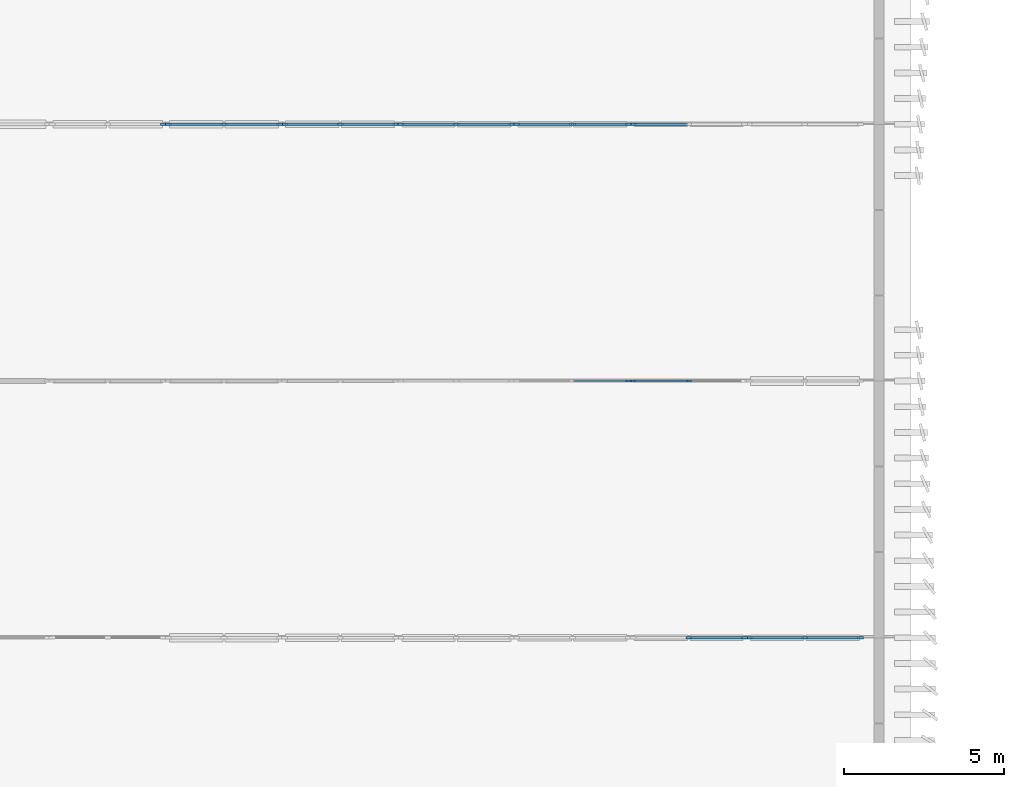
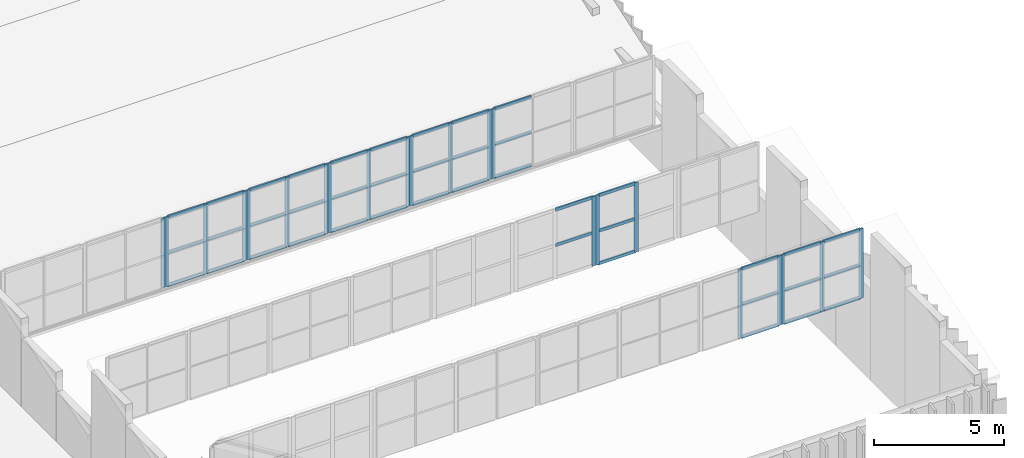
# One storey, part 6 of 45: 63 members, 10 elements without a shape of their own.
"""IFC4 building model written with IfcOpenShell, lengths in metres."""

from ifc_helpers import new_model, si_unit, direction, frame, origin, origin_2d, place, context, subcontext, project, spatial, rectangle, extrude, material, layer, layer_set, material_profile, profile_set, type_object, element, aggregate, save


model = new_model("IFC4")

# Units and contexts
model_context = context("Model", 3, precision=1e-05, world=origin(), true_north=direction((0.0, 1.0)))
body_context = subcontext(model_context, "Body", "Model", "MODEL_VIEW")
ifc_project = project(units=[si_unit("LENGTHUNIT", "METRE"), si_unit("AREAUNIT", "SQUARE_METRE"), si_unit("VOLUMEUNIT", "CUBIC_METRE"), si_unit("PLANEANGLEUNIT", "RADIAN"), si_unit("MASSUNIT", "GRAM", prefix="KILO")], contexts=[model_context])

# Site, building, storey
site_placement = place(None, origin())
site = spatial("IfcSite", under=ifc_project, at=site_placement, CompositionType="ELEMENT")
building_placement = place(site_placement, origin())
building = spatial("IfcBuilding", under=site, at=building_placement, Name="Cinchona Park Media Centre", CompositionType="ELEMENT")
storey_placement = place(building_placement, frame((0.0, 0.0, 20.39990234375)))
storey = spatial("IfcBuildingStorey", under=building, at=storey_placement, Name="L04", CompositionType="ELEMENT", Elevation=20.39990234375)

# Curtain wall, members
ifc_material_1 = material(Name="Aluminium Curtain Wall Framing", Category="aluminium")
ifc_layer = layer(ifc_material_1, 0.31494140625)
ifc_layer_set = layer_set([ifc_layer], Name="Aluminium Curtain Wall Framing")
curtain_wall_type = type_object("IfcCurtainWallType", Name="CW-CW10", PredefinedType="USERDEFINED", material=ifc_layer_set)
curtain_wall_1_placement = place(storey_placement, origin())
curtain_wall_1 = element("IfcCurtainWall", 1, at=curtain_wall_1_placement, inside=storey, type_object=curtain_wall_type, Name="North-Light Sawtooth Clerestory V1 Bay 1.1 CW10 L04", ObjectType="UNITISED CURTAIN WALL", PredefinedType="USERDEFINED")
ifc_material_2 = material(Name="Anodised Aluminium Alloy 6063-T6", Category="aluminium")
ifc_material_profile_1 = material_profile(ifc_material_2, rectangle(XDim=0.070068359375, YDim=0.179931640625, at=origin_2d()), Name="MUL-70X180")
ifc_profile_set_1 = profile_set([ifc_material_profile_1], Name="Anodised Aluminium Alloy 6063-T6")
member_type_1 = type_object("IfcMemberType", Name="MULLION-MUL02", PredefinedType="MULLION", material=ifc_profile_set_1)
member_1_placement = place(storey_placement, frame((44.784912109375, 15.60009765625, 2.580078125), z_axis=(0.0, 0.0, 1.0), x_axis=(0.0, -1.0, 0.0)))
member_1 = element("IfcMember", 2, at=member_1_placement, type_object=member_type_1, Name="CW10 mullion 1", PredefinedType="MULLION", context=body_context, shape_type="SweptSolid", body=[
    extrude(rectangle(XDim=0.070068359375, YDim=0.179931640625, at=origin_2d()), origin(), (0.0, 0.0, 1.0), 3.257080078125),
])
member_2_placement = place(storey_placement, frame((43.050048828125, 15.60009765625, 2.580078125), z_axis=(0.0, 0.0, 1.0), x_axis=(0.0, -1.0, 0.0)))
member_2 = element("IfcMember", 3, at=member_2_placement, type_object=member_type_1, Name="CW10 mullion 2", PredefinedType="MULLION", context=body_context, shape_type="SweptSolid", body=[
    extrude(rectangle(XDim=0.070068359375, YDim=0.179931640625, at=origin_2d()), origin(), (0.0, 0.0, 1.0), 3.257080078125),
])
member_3_placement = place(storey_placement, frame((41.31494140625, 15.60009765625, 2.580078125), z_axis=(0.0, 0.0, 1.0), x_axis=(0.0, -1.0, 0.0)))
member_3 = element("IfcMember", 4, at=member_3_placement, type_object=member_type_1, Name="CW10 mullion 3", PredefinedType="MULLION", context=body_context, shape_type="SweptSolid", body=[
    extrude(rectangle(XDim=0.070068359375, YDim=0.179931640625, at=origin_2d()), origin(), (0.0, 0.0, 1.0), 3.257080078125),
])

curtain_wall_2_placement = place(storey_placement, origin())
curtain_wall_2 = element("IfcCurtainWall", 5, at=curtain_wall_2_placement, inside=storey, type_object=curtain_wall_type, Name="North-Light Sawtooth Clerestory V1 Bay 1.2 CW10 L04", ObjectType="UNITISED CURTAIN WALL", PredefinedType="USERDEFINED")
member_4_placement = place(storey_placement, frame((41.1650390625, 15.60009765625, 2.580078125), z_axis=(0.0, 0.0, 1.0), x_axis=(0.0, -1.0, 0.0)))
member_4 = element("IfcMember", 6, at=member_4_placement, type_object=member_type_1, Name="CW10 mullion 1", PredefinedType="MULLION", context=body_context, shape_type="SweptSolid", body=[
    extrude(rectangle(XDim=0.070068359375, YDim=0.179931640625, at=origin_2d()), origin(), (0.0, 0.0, 1.0), 3.257080078125),
])
member_5_placement = place(storey_placement, frame((39.429931640625, 15.60009765625, 2.580078125), z_axis=(0.0, 0.0, 1.0), x_axis=(0.0, -1.0, 0.0)))
member_5 = element("IfcMember", 7, at=member_5_placement, type_object=member_type_1, Name="CW10 mullion 2", PredefinedType="MULLION", context=body_context, shape_type="SweptSolid", body=[
    extrude(rectangle(XDim=0.070068359375, YDim=0.179931640625, at=origin_2d()), origin(), (0.0, 0.0, 1.0), 3.257080078125),
])

curtain_wall_3_placement = place(storey_placement, origin())
curtain_wall_3 = element("IfcCurtainWall", 8, at=curtain_wall_3_placement, inside=storey, type_object=curtain_wall_type, Name="North-Light Sawtooth Clerestory V1 Bay 2.2 CW10 L04", ObjectType="UNITISED CURTAIN WALL", PredefinedType="USERDEFINED")
member_6_placement = place(storey_placement, frame((39.429931640625, 23.60009765625, 1.780029296875), z_axis=(0.0, 0.0, 1.0), x_axis=(0.0, -1.0, 0.0)))
member_6 = element("IfcMember", 9, at=member_6_placement, type_object=member_type_1, Name="CW10 mullion 2", PredefinedType="MULLION", context=body_context, shape_type="SweptSolid", body=[
    extrude(rectangle(XDim=0.070068359375, YDim=0.179931640625, at=origin_2d()), origin(), (0.0, 0.0, 1.0), 3.257080078125),
])
member_7_placement = place(storey_placement, frame((37.695068359375, 23.60009765625, 1.780029296875), z_axis=(0.0, 0.0, 1.0), x_axis=(0.0, -1.0, 0.0)))
member_7 = element("IfcMember", 10, at=member_7_placement, type_object=member_type_1, Name="CW10 mullion 3", PredefinedType="MULLION", context=body_context, shape_type="SweptSolid", body=[
    extrude(rectangle(XDim=0.070068359375, YDim=0.179931640625, at=origin_2d()), origin(), (0.0, 0.0, 1.0), 3.257080078125),
])

# Curtain wall, member
curtain_wall_4_placement = place(storey_placement, origin())
curtain_wall_4 = element("IfcCurtainWall", 11, at=curtain_wall_4_placement, inside=storey, type_object=curtain_wall_type, Name="North-Light Sawtooth Clerestory V1 Bay 2.3 CW10 L04", ObjectType="UNITISED CURTAIN WALL", PredefinedType="USERDEFINED")
member_8_placement = place(storey_placement, frame((37.544921875, 23.60009765625, 1.780029296875), z_axis=(0.0, 0.0, 1.0), x_axis=(0.0, -1.0, 0.0)))
member_8 = element("IfcMember", 12, at=member_8_placement, type_object=member_type_1, Name="CW10 mullion 1", PredefinedType="MULLION", context=body_context, shape_type="SweptSolid", body=[
    extrude(rectangle(XDim=0.070068359375, YDim=0.179931640625, at=origin_2d()), origin(), (0.0, 0.0, 1.0), 3.257080078125),
])

curtain_wall_5_placement = place(storey_placement, origin())
curtain_wall_5 = element("IfcCurtainWall", 13, at=curtain_wall_5_placement, inside=storey, type_object=curtain_wall_type, Name="North-Light Sawtooth Clerestory V1 Bay 3.2 CW10 L04", ObjectType="UNITISED CURTAIN WALL", PredefinedType="USERDEFINED")
member_9_placement = place(storey_placement, frame((37.695068359375, 31.60009765625, 0.97998046875), z_axis=(0.0, 0.0, 1.0), x_axis=(0.0, -1.0, 0.0)))
member_9 = element("IfcMember", 14, at=member_9_placement, type_object=member_type_1, Name="CW10 mullion 3", PredefinedType="MULLION", context=body_context, shape_type="SweptSolid", body=[
    extrude(rectangle(XDim=0.070068359375, YDim=0.179931640625, at=origin_2d()), origin(), (0.0, 0.0, 1.0), 3.257080078125),
])

# Curtain wall, members
curtain_wall_6_placement = place(storey_placement, origin())
curtain_wall_6 = element("IfcCurtainWall", 15, at=curtain_wall_6_placement, inside=storey, type_object=curtain_wall_type, Name="North-Light Sawtooth Clerestory V1 Bay 3.3 CW10 L04", ObjectType="UNITISED CURTAIN WALL", PredefinedType="USERDEFINED")
member_10_placement = place(storey_placement, frame((37.544921875, 31.60009765625, 0.97998046875), z_axis=(0.0, 0.0, 1.0), x_axis=(0.0, -1.0, 0.0)))
member_10 = element("IfcMember", 16, at=member_10_placement, type_object=member_type_1, Name="CW10 mullion 1", PredefinedType="MULLION", context=body_context, shape_type="SweptSolid", body=[
    extrude(rectangle(XDim=0.070068359375, YDim=0.179931640625, at=origin_2d()), origin(), (0.0, 0.0, 1.0), 3.257080078125),
])
member_11_placement = place(storey_placement, frame((35.81005859375, 31.60009765625, 0.97998046875), z_axis=(0.0, 0.0, 1.0), x_axis=(0.0, -1.0, 0.0)))
member_11 = element("IfcMember", 17, at=member_11_placement, type_object=member_type_1, Name="CW10 mullion 2", PredefinedType="MULLION", context=body_context, shape_type="SweptSolid", body=[
    extrude(rectangle(XDim=0.070068359375, YDim=0.179931640625, at=origin_2d()), origin(), (0.0, 0.0, 1.0), 3.257080078125),
])
member_12_placement = place(storey_placement, frame((34.074951171875, 31.60009765625, 0.97998046875), z_axis=(0.0, 0.0, 1.0), x_axis=(0.0, -1.0, 0.0)))
member_12 = element("IfcMember", 18, at=member_12_placement, type_object=member_type_1, Name="CW10 mullion 3", PredefinedType="MULLION", context=body_context, shape_type="SweptSolid", body=[
    extrude(rectangle(XDim=0.070068359375, YDim=0.179931640625, at=origin_2d()), origin(), (0.0, 0.0, 1.0), 3.257080078125),
])

curtain_wall_7_placement = place(storey_placement, origin())
curtain_wall_7 = element("IfcCurtainWall", 19, at=curtain_wall_7_placement, inside=storey, type_object=curtain_wall_type, Name="North-Light Sawtooth Clerestory V1 Bay 3.4 CW10 L04", ObjectType="UNITISED CURTAIN WALL", PredefinedType="USERDEFINED")
member_13_placement = place(storey_placement, frame((33.925048828125, 31.60009765625, 0.97998046875), z_axis=(0.0, 0.0, 1.0), x_axis=(0.0, -1.0, 0.0)))
member_13 = element("IfcMember", 20, at=member_13_placement, type_object=member_type_1, Name="CW10 mullion 1", PredefinedType="MULLION", context=body_context, shape_type="SweptSolid", body=[
    extrude(rectangle(XDim=0.070068359375, YDim=0.179931640625, at=origin_2d()), origin(), (0.0, 0.0, 1.0), 3.257080078125),
])
member_14_placement = place(storey_placement, frame((32.18994140625, 31.60009765625, 0.97998046875), z_axis=(0.0, 0.0, 1.0), x_axis=(0.0, -1.0, 0.0)))
member_14 = element("IfcMember", 21, at=member_14_placement, type_object=member_type_1, Name="CW10 mullion 2", PredefinedType="MULLION", context=body_context, shape_type="SweptSolid", body=[
    extrude(rectangle(XDim=0.070068359375, YDim=0.179931640625, at=origin_2d()), origin(), (0.0, 0.0, 1.0), 3.257080078125),
])
member_15_placement = place(storey_placement, frame((30.455078125, 31.60009765625, 0.97998046875), z_axis=(0.0, 0.0, 1.0), x_axis=(0.0, -1.0, 0.0)))
member_15 = element("IfcMember", 22, at=member_15_placement, type_object=member_type_1, Name="CW10 mullion 3", PredefinedType="MULLION", context=body_context, shape_type="SweptSolid", body=[
    extrude(rectangle(XDim=0.070068359375, YDim=0.179931640625, at=origin_2d()), origin(), (0.0, 0.0, 1.0), 3.257080078125),
])

curtain_wall_8_placement = place(storey_placement, origin())
curtain_wall_8 = element("IfcCurtainWall", 23, at=curtain_wall_8_placement, inside=storey, type_object=curtain_wall_type, Name="North-Light Sawtooth Clerestory V1 Bay 3.5 CW10 L04", ObjectType="UNITISED CURTAIN WALL", PredefinedType="USERDEFINED")
member_16_placement = place(storey_placement, frame((30.304931640625, 31.60009765625, 0.97998046875), z_axis=(0.0, 0.0, 1.0), x_axis=(0.0, -1.0, 0.0)))
member_16 = element("IfcMember", 24, at=member_16_placement, type_object=member_type_1, Name="CW10 mullion 1", PredefinedType="MULLION", context=body_context, shape_type="SweptSolid", body=[
    extrude(rectangle(XDim=0.070068359375, YDim=0.179931640625, at=origin_2d()), origin(), (0.0, 0.0, 1.0), 3.257080078125),
])
member_17_placement = place(storey_placement, frame((28.570068359375, 31.60009765625, 0.97998046875), z_axis=(0.0, 0.0, 1.0), x_axis=(0.0, -1.0, 0.0)))
member_17 = element("IfcMember", 25, at=member_17_placement, type_object=member_type_1, Name="CW10 mullion 2", PredefinedType="MULLION", context=body_context, shape_type="SweptSolid", body=[
    extrude(rectangle(XDim=0.070068359375, YDim=0.179931640625, at=origin_2d()), origin(), (0.0, 0.0, 1.0), 3.257080078125),
])
member_18_placement = place(storey_placement, frame((26.8349609375, 31.60009765625, 0.97998046875), z_axis=(0.0, 0.0, 1.0), x_axis=(0.0, -1.0, 0.0)))
member_18 = element("IfcMember", 26, at=member_18_placement, type_object=member_type_1, Name="CW10 mullion 3", PredefinedType="MULLION", context=body_context, shape_type="SweptSolid", body=[
    extrude(rectangle(XDim=0.070068359375, YDim=0.179931640625, at=origin_2d()), origin(), (0.0, 0.0, 1.0), 3.257080078125),
])

curtain_wall_9_placement = place(storey_placement, origin())
curtain_wall_9 = element("IfcCurtainWall", 27, at=curtain_wall_9_placement, inside=storey, type_object=curtain_wall_type, Name="North-Light Sawtooth Clerestory V1 Bay 3.6 CW10 L04", ObjectType="UNITISED CURTAIN WALL", PredefinedType="USERDEFINED")
member_19_placement = place(storey_placement, frame((26.68505859375, 31.60009765625, 0.97998046875), z_axis=(0.0, 0.0, 1.0), x_axis=(0.0, -1.0, 0.0)))
member_19 = element("IfcMember", 28, at=member_19_placement, type_object=member_type_1, Name="CW10 mullion 1", PredefinedType="MULLION", context=body_context, shape_type="SweptSolid", body=[
    extrude(rectangle(XDim=0.070068359375, YDim=0.179931640625, at=origin_2d()), origin(), (0.0, 0.0, 1.0), 3.257080078125),
])
member_20_placement = place(storey_placement, frame((24.949951171875, 31.60009765625, 0.97998046875), z_axis=(0.0, 0.0, 1.0), x_axis=(0.0, -1.0, 0.0)))
member_20 = element("IfcMember", 29, at=member_20_placement, type_object=member_type_1, Name="CW10 mullion 2", PredefinedType="MULLION", context=body_context, shape_type="SweptSolid", body=[
    extrude(rectangle(XDim=0.070068359375, YDim=0.179931640625, at=origin_2d()), origin(), (0.0, 0.0, 1.0), 3.257080078125),
])
member_21_placement = place(storey_placement, frame((23.215087890625, 31.60009765625, 0.97998046875), z_axis=(0.0, 0.0, 1.0), x_axis=(0.0, -1.0, 0.0)))
member_21 = element("IfcMember", 30, at=member_21_placement, type_object=member_type_1, Name="CW10 mullion 3", PredefinedType="MULLION", context=body_context, shape_type="SweptSolid", body=[
    extrude(rectangle(XDim=0.070068359375, YDim=0.179931640625, at=origin_2d()), origin(), (0.0, 0.0, 1.0), 3.257080078125),
])

# Curtain wall, member
curtain_wall_10_placement = place(storey_placement, origin())
curtain_wall_10 = element("IfcCurtainWall", 31, at=curtain_wall_10_placement, inside=storey, type_object=curtain_wall_type, Name="North-Light Sawtooth Clerestory V1 Bay 3.7 CW10 L04", ObjectType="UNITISED CURTAIN WALL", PredefinedType="USERDEFINED")
member_22_placement = place(storey_placement, frame((23.06494140625, 31.60009765625, 0.97998046875), z_axis=(0.0, 0.0, 1.0), x_axis=(0.0, -1.0, 0.0)))
member_22 = element("IfcMember", 32, at=member_22_placement, type_object=member_type_1, Name="CW10 mullion 1", PredefinedType="MULLION", context=body_context, shape_type="SweptSolid", body=[
    extrude(rectangle(XDim=0.070068359375, YDim=0.179931640625, at=origin_2d()), origin(), (0.0, 0.0, 1.0), 3.257080078125),
])
aggregate(curtain_wall_10, [member_22])

# Member
ifc_material_3 = material(Name="Anodised Aluminium Alloy 6063-T6", Category="aluminium")
ifc_material_profile_2 = material_profile(ifc_material_3, rectangle(XDim=0.070068359375, YDim=0.139892578125, at=origin_2d()), Name="TRN-70X140")
ifc_profile_set_2 = profile_set([ifc_material_profile_2], Name="Anodised Aluminium Alloy 6063-T6")
member_type_2 = type_object("IfcMemberType", Name="TRANSOM-TRN02", PredefinedType="USERDEFINED", material=ifc_profile_set_2)
member_23_placement = place(storey_placement, frame((44.75, 15.60009765625, 2.614990234375), z_axis=(-1.0, 0.0, 0.0), x_axis=(0.0, -1.0, 0.0)))
member_23 = element("IfcMember", 33, at=member_23_placement, type_object=member_type_2, Name="CW10 transom 1.1", ObjectType="TRANSOM", PredefinedType="USERDEFINED", context=body_context, shape_type="SweptSolid", body=[
    extrude(rectangle(XDim=0.070068359375, YDim=0.139892578125, at=origin_2d()), origin(), (0.0, 0.0, 1.0), 1.6650390625),
])

member_24_placement = place(storey_placement, frame((44.75, 15.60009765625, 4.14306640625), z_axis=(-1.0, 0.0, 0.0), x_axis=(0.0, -1.0, 0.0)))
member_24 = element("IfcMember", 34, at=member_24_placement, type_object=member_type_2, Name="CW10 transom 1.2", ObjectType="TRANSOM", PredefinedType="USERDEFINED", context=body_context, shape_type="SweptSolid", body=[
    extrude(rectangle(XDim=0.070068359375, YDim=0.139892578125, at=origin_2d()), origin(), (0.0, 0.0, 1.0), 1.6650390625),
])

member_25_placement = place(storey_placement, frame((44.75, 15.60009765625, 5.802001953125), z_axis=(-1.0, 0.0, 0.0), x_axis=(0.0, -1.0, 0.0)))
member_25 = element("IfcMember", 35, at=member_25_placement, type_object=member_type_2, Name="CW10 transom 1.3", ObjectType="TRANSOM", PredefinedType="USERDEFINED", context=body_context, shape_type="SweptSolid", body=[
    extrude(rectangle(XDim=0.070068359375, YDim=0.139892578125, at=origin_2d()), origin(), (0.0, 0.0, 1.0), 1.6650390625),
])

member_26_placement = place(storey_placement, frame((43.014892578125, 15.60009765625, 2.614990234375), z_axis=(-1.0, 0.0, 0.0), x_axis=(0.0, -1.0, 0.0)))
member_26 = element("IfcMember", 36, at=member_26_placement, type_object=member_type_2, Name="CW10 transom 2.1", ObjectType="TRANSOM", PredefinedType="USERDEFINED", context=body_context, shape_type="SweptSolid", body=[
    extrude(rectangle(XDim=0.070068359375, YDim=0.139892578125, at=origin_2d()), origin(), (0.0, 0.0, 1.0), 1.664794921875),
])

member_27_placement = place(storey_placement, frame((43.014892578125, 15.60009765625, 4.14306640625), z_axis=(-1.0, 0.0, 0.0), x_axis=(0.0, -1.0, 0.0)))
member_27 = element("IfcMember", 37, at=member_27_placement, type_object=member_type_2, Name="CW10 transom 2.2", ObjectType="TRANSOM", PredefinedType="USERDEFINED", context=body_context, shape_type="SweptSolid", body=[
    extrude(rectangle(XDim=0.070068359375, YDim=0.139892578125, at=origin_2d()), origin(), (0.0, 0.0, 1.0), 1.664794921875),
])

member_28_placement = place(storey_placement, frame((43.014892578125, 15.60009765625, 5.802001953125), z_axis=(-1.0, 0.0, 0.0), x_axis=(0.0, -1.0, 0.0)))
member_28 = element("IfcMember", 38, at=member_28_placement, type_object=member_type_2, Name="CW10 transom 2.3", ObjectType="TRANSOM", PredefinedType="USERDEFINED", context=body_context, shape_type="SweptSolid", body=[
    extrude(rectangle(XDim=0.070068359375, YDim=0.139892578125, at=origin_2d()), origin(), (0.0, 0.0, 1.0), 1.664794921875),
])

aggregate(curtain_wall_1, [member_1, member_2, member_3, member_23, member_24, member_25, member_26, member_27, member_28])

member_29_placement = place(storey_placement, frame((41.1298828125, 15.60009765625, 2.614990234375), z_axis=(-1.0, 0.0, 0.0), x_axis=(0.0, -1.0, 0.0)))
member_29 = element("IfcMember", 39, at=member_29_placement, type_object=member_type_2, Name="CW10 transom 1.1", ObjectType="TRANSOM", PredefinedType="USERDEFINED", context=body_context, shape_type="SweptSolid", body=[
    extrude(rectangle(XDim=0.070068359375, YDim=0.139892578125, at=origin_2d()), origin(), (0.0, 0.0, 1.0), 1.664794921875),
])

member_30_placement = place(storey_placement, frame((41.1298828125, 15.60009765625, 4.14306640625), z_axis=(-1.0, 0.0, 0.0), x_axis=(0.0, -1.0, 0.0)))
member_30 = element("IfcMember", 40, at=member_30_placement, type_object=member_type_2, Name="CW10 transom 1.2", ObjectType="TRANSOM", PredefinedType="USERDEFINED", context=body_context, shape_type="SweptSolid", body=[
    extrude(rectangle(XDim=0.070068359375, YDim=0.139892578125, at=origin_2d()), origin(), (0.0, 0.0, 1.0), 1.664794921875),
])

member_31_placement = place(storey_placement, frame((41.1298828125, 15.60009765625, 5.802001953125), z_axis=(-1.0, 0.0, 0.0), x_axis=(0.0, -1.0, 0.0)))
member_31 = element("IfcMember", 41, at=member_31_placement, type_object=member_type_2, Name="CW10 transom 1.3", ObjectType="TRANSOM", PredefinedType="USERDEFINED", context=body_context, shape_type="SweptSolid", body=[
    extrude(rectangle(XDim=0.070068359375, YDim=0.139892578125, at=origin_2d()), origin(), (0.0, 0.0, 1.0), 1.664794921875),
])

aggregate(curtain_wall_2, [member_4, member_5, member_29, member_30, member_31])

member_32_placement = place(storey_placement, frame((39.39501953125, 23.60009765625, 1.815185546875), z_axis=(-1.0, 0.0, 0.0), x_axis=(0.0, -1.0, 0.0)))
member_32 = element("IfcMember", 42, at=member_32_placement, type_object=member_type_2, Name="CW10 transom 2.1", ObjectType="TRANSOM", PredefinedType="USERDEFINED", context=body_context, shape_type="SweptSolid", body=[
    extrude(rectangle(XDim=0.070068359375, YDim=0.139892578125, at=origin_2d()), origin(), (0.0, 0.0, 1.0), 1.6650390625),
])

member_33_placement = place(storey_placement, frame((39.39501953125, 23.60009765625, 3.343017578125), z_axis=(-1.0, 0.0, 0.0), x_axis=(0.0, -1.0, 0.0)))
member_33 = element("IfcMember", 43, at=member_33_placement, type_object=member_type_2, Name="CW10 transom 2.2", ObjectType="TRANSOM", PredefinedType="USERDEFINED", context=body_context, shape_type="SweptSolid", body=[
    extrude(rectangle(XDim=0.070068359375, YDim=0.139892578125, at=origin_2d()), origin(), (0.0, 0.0, 1.0), 1.6650390625),
])

member_34_placement = place(storey_placement, frame((39.39501953125, 23.60009765625, 5.002197265625), z_axis=(-1.0, 0.0, 0.0), x_axis=(0.0, -1.0, 0.0)))
member_34 = element("IfcMember", 44, at=member_34_placement, type_object=member_type_2, Name="CW10 transom 2.3", ObjectType="TRANSOM", PredefinedType="USERDEFINED", context=body_context, shape_type="SweptSolid", body=[
    extrude(rectangle(XDim=0.070068359375, YDim=0.139892578125, at=origin_2d()), origin(), (0.0, 0.0, 1.0), 1.6650390625),
])

aggregate(curtain_wall_3, [member_6, member_7, member_32, member_33, member_34])

member_35_placement = place(storey_placement, frame((37.510009765625, 23.60009765625, 3.343017578125), z_axis=(-1.0, 0.0, 0.0), x_axis=(0.0, -1.0, 0.0)))
member_35 = element("IfcMember", 45, at=member_35_placement, type_object=member_type_2, Name="CW10 transom 1.2", ObjectType="TRANSOM", PredefinedType="USERDEFINED", context=body_context, shape_type="SweptSolid", body=[
    extrude(rectangle(XDim=0.070068359375, YDim=0.139892578125, at=origin_2d()), origin(), (0.0, 0.0, 1.0), 1.6650390625),
])

member_36_placement = place(storey_placement, frame((37.510009765625, 23.60009765625, 5.002197265625), z_axis=(-1.0, 0.0, 0.0), x_axis=(0.0, -1.0, 0.0)))
member_36 = element("IfcMember", 46, at=member_36_placement, type_object=member_type_2, Name="CW10 transom 1.3", ObjectType="TRANSOM", PredefinedType="USERDEFINED", context=body_context, shape_type="SweptSolid", body=[
    extrude(rectangle(XDim=0.070068359375, YDim=0.139892578125, at=origin_2d()), origin(), (0.0, 0.0, 1.0), 1.6650390625),
])

aggregate(curtain_wall_4, [member_8, member_35, member_36])

member_37_placement = place(storey_placement, frame((39.39501953125, 31.60009765625, 1.01513671875), z_axis=(-1.0, 0.0, 0.0), x_axis=(0.0, -1.0, 0.0)))
member_37 = element("IfcMember", 47, at=member_37_placement, type_object=member_type_2, Name="CW10 transom 2.1", ObjectType="TRANSOM", PredefinedType="USERDEFINED", context=body_context, shape_type="SweptSolid", body=[
    extrude(rectangle(XDim=0.070068359375, YDim=0.139892578125, at=origin_2d()), origin(), (0.0, 0.0, 1.0), 1.6650390625),
])

member_38_placement = place(storey_placement, frame((39.39501953125, 31.60009765625, 2.543212890625), z_axis=(-1.0, 0.0, 0.0), x_axis=(0.0, -1.0, 0.0)))
member_38 = element("IfcMember", 48, at=member_38_placement, type_object=member_type_2, Name="CW10 transom 2.2", ObjectType="TRANSOM", PredefinedType="USERDEFINED", context=body_context, shape_type="SweptSolid", body=[
    extrude(rectangle(XDim=0.070068359375, YDim=0.139892578125, at=origin_2d()), origin(), (0.0, 0.0, 1.0), 1.6650390625),
])

member_39_placement = place(storey_placement, frame((39.39501953125, 31.60009765625, 4.2021484375), z_axis=(-1.0, 0.0, 0.0), x_axis=(0.0, -1.0, 0.0)))
member_39 = element("IfcMember", 49, at=member_39_placement, type_object=member_type_2, Name="CW10 transom 2.3", ObjectType="TRANSOM", PredefinedType="USERDEFINED", context=body_context, shape_type="SweptSolid", body=[
    extrude(rectangle(XDim=0.070068359375, YDim=0.139892578125, at=origin_2d()), origin(), (0.0, 0.0, 1.0), 1.6650390625),
])

aggregate(curtain_wall_5, [member_9, member_37, member_38, member_39])

member_40_placement = place(storey_placement, frame((37.510009765625, 31.60009765625, 1.01513671875), z_axis=(-1.0, 0.0, 0.0), x_axis=(0.0, -1.0, 0.0)))
member_40 = element("IfcMember", 50, at=member_40_placement, type_object=member_type_2, Name="CW10 transom 1.1", ObjectType="TRANSOM", PredefinedType="USERDEFINED", context=body_context, shape_type="SweptSolid", body=[
    extrude(rectangle(XDim=0.070068359375, YDim=0.139892578125, at=origin_2d()), origin(), (0.0, 0.0, 1.0), 1.6650390625),
])

member_41_placement = place(storey_placement, frame((37.510009765625, 31.60009765625, 2.543212890625), z_axis=(-1.0, 0.0, 0.0), x_axis=(0.0, -1.0, 0.0)))
member_41 = element("IfcMember", 51, at=member_41_placement, type_object=member_type_2, Name="CW10 transom 1.2", ObjectType="TRANSOM", PredefinedType="USERDEFINED", context=body_context, shape_type="SweptSolid", body=[
    extrude(rectangle(XDim=0.070068359375, YDim=0.139892578125, at=origin_2d()), origin(), (0.0, 0.0, 1.0), 1.6650390625),
])

member_42_placement = place(storey_placement, frame((37.510009765625, 31.60009765625, 4.2021484375), z_axis=(-1.0, 0.0, 0.0), x_axis=(0.0, -1.0, 0.0)))
member_42 = element("IfcMember", 52, at=member_42_placement, type_object=member_type_2, Name="CW10 transom 1.3", ObjectType="TRANSOM", PredefinedType="USERDEFINED", context=body_context, shape_type="SweptSolid", body=[
    extrude(rectangle(XDim=0.070068359375, YDim=0.139892578125, at=origin_2d()), origin(), (0.0, 0.0, 1.0), 1.6650390625),
])

member_43_placement = place(storey_placement, frame((35.77490234375, 31.60009765625, 1.01513671875), z_axis=(-1.0, 0.0, 0.0), x_axis=(0.0, -1.0, 0.0)))
member_43 = element("IfcMember", 53, at=member_43_placement, type_object=member_type_2, Name="CW10 transom 2.1", ObjectType="TRANSOM", PredefinedType="USERDEFINED", context=body_context, shape_type="SweptSolid", body=[
    extrude(rectangle(XDim=0.070068359375, YDim=0.139892578125, at=origin_2d()), origin(), (0.0, 0.0, 1.0), 1.664794921875),
])

member_44_placement = place(storey_placement, frame((35.77490234375, 31.60009765625, 2.543212890625), z_axis=(-1.0, 0.0, 0.0), x_axis=(0.0, -1.0, 0.0)))
member_44 = element("IfcMember", 54, at=member_44_placement, type_object=member_type_2, Name="CW10 transom 2.2", ObjectType="TRANSOM", PredefinedType="USERDEFINED", context=body_context, shape_type="SweptSolid", body=[
    extrude(rectangle(XDim=0.070068359375, YDim=0.139892578125, at=origin_2d()), origin(), (0.0, 0.0, 1.0), 1.664794921875),
])

member_45_placement = place(storey_placement, frame((35.77490234375, 31.60009765625, 4.2021484375), z_axis=(-1.0, 0.0, 0.0), x_axis=(0.0, -1.0, 0.0)))
member_45 = element("IfcMember", 55, at=member_45_placement, type_object=member_type_2, Name="CW10 transom 2.3", ObjectType="TRANSOM", PredefinedType="USERDEFINED", context=body_context, shape_type="SweptSolid", body=[
    extrude(rectangle(XDim=0.070068359375, YDim=0.139892578125, at=origin_2d()), origin(), (0.0, 0.0, 1.0), 1.664794921875),
])

aggregate(curtain_wall_6, [member_10, member_11, member_12, member_40, member_41, member_42, member_43, member_44, member_45])

member_46_placement = place(storey_placement, frame((33.889892578125, 31.60009765625, 1.01513671875), z_axis=(-1.0, 0.0, 0.0), x_axis=(0.0, -1.0, 0.0)))
member_46 = element("IfcMember", 56, at=member_46_placement, type_object=member_type_2, Name="CW10 transom 1.1", ObjectType="TRANSOM", PredefinedType="USERDEFINED", context=body_context, shape_type="SweptSolid", body=[
    extrude(rectangle(XDim=0.070068359375, YDim=0.139892578125, at=origin_2d()), origin(), (0.0, 0.0, 1.0), 1.664794921875),
])

member_47_placement = place(storey_placement, frame((33.889892578125, 31.60009765625, 2.543212890625), z_axis=(-1.0, 0.0, 0.0), x_axis=(0.0, -1.0, 0.0)))
member_47 = element("IfcMember", 57, at=member_47_placement, type_object=member_type_2, Name="CW10 transom 1.2", ObjectType="TRANSOM", PredefinedType="USERDEFINED", context=body_context, shape_type="SweptSolid", body=[
    extrude(rectangle(XDim=0.070068359375, YDim=0.139892578125, at=origin_2d()), origin(), (0.0, 0.0, 1.0), 1.664794921875),
])

member_48_placement = place(storey_placement, frame((33.889892578125, 31.60009765625, 4.2021484375), z_axis=(-1.0, 0.0, 0.0), x_axis=(0.0, -1.0, 0.0)))
member_48 = element("IfcMember", 58, at=member_48_placement, type_object=member_type_2, Name="CW10 transom 1.3", ObjectType="TRANSOM", PredefinedType="USERDEFINED", context=body_context, shape_type="SweptSolid", body=[
    extrude(rectangle(XDim=0.070068359375, YDim=0.139892578125, at=origin_2d()), origin(), (0.0, 0.0, 1.0), 1.664794921875),
])

member_49_placement = place(storey_placement, frame((32.155029296875, 31.60009765625, 1.01513671875), z_axis=(-1.0, 0.0, 0.0), x_axis=(0.0, -1.0, 0.0)))
member_49 = element("IfcMember", 59, at=member_49_placement, type_object=member_type_2, Name="CW10 transom 2.1", ObjectType="TRANSOM", PredefinedType="USERDEFINED", context=body_context, shape_type="SweptSolid", body=[
    extrude(rectangle(XDim=0.070068359375, YDim=0.139892578125, at=origin_2d()), origin(), (0.0, 0.0, 1.0), 1.6650390625),
])

member_50_placement = place(storey_placement, frame((32.155029296875, 31.60009765625, 2.543212890625), z_axis=(-1.0, 0.0, 0.0), x_axis=(0.0, -1.0, 0.0)))
member_50 = element("IfcMember", 60, at=member_50_placement, type_object=member_type_2, Name="CW10 transom 2.2", ObjectType="TRANSOM", PredefinedType="USERDEFINED", context=body_context, shape_type="SweptSolid", body=[
    extrude(rectangle(XDim=0.070068359375, YDim=0.139892578125, at=origin_2d()), origin(), (0.0, 0.0, 1.0), 1.6650390625),
])

member_51_placement = place(storey_placement, frame((32.155029296875, 31.60009765625, 4.2021484375), z_axis=(-1.0, 0.0, 0.0), x_axis=(0.0, -1.0, 0.0)))
member_51 = element("IfcMember", 61, at=member_51_placement, type_object=member_type_2, Name="CW10 transom 2.3", ObjectType="TRANSOM", PredefinedType="USERDEFINED", context=body_context, shape_type="SweptSolid", body=[
    extrude(rectangle(XDim=0.070068359375, YDim=0.139892578125, at=origin_2d()), origin(), (0.0, 0.0, 1.0), 1.6650390625),
])

aggregate(curtain_wall_7, [member_13, member_14, member_15, member_46, member_47, member_48, member_49, member_50, member_51])

member_52_placement = place(storey_placement, frame((30.27001953125, 31.60009765625, 1.01513671875), z_axis=(-1.0, 0.0, 0.0), x_axis=(0.0, -1.0, 0.0)))
member_52 = element("IfcMember", 62, at=member_52_placement, type_object=member_type_2, Name="CW10 transom 1.1", ObjectType="TRANSOM", PredefinedType="USERDEFINED", context=body_context, shape_type="SweptSolid", body=[
    extrude(rectangle(XDim=0.070068359375, YDim=0.139892578125, at=origin_2d()), origin(), (0.0, 0.0, 1.0), 1.6650390625),
])

member_53_placement = place(storey_placement, frame((30.27001953125, 31.60009765625, 2.543212890625), z_axis=(-1.0, 0.0, 0.0), x_axis=(0.0, -1.0, 0.0)))
member_53 = element("IfcMember", 63, at=member_53_placement, type_object=member_type_2, Name="CW10 transom 1.2", ObjectType="TRANSOM", PredefinedType="USERDEFINED", context=body_context, shape_type="SweptSolid", body=[
    extrude(rectangle(XDim=0.070068359375, YDim=0.139892578125, at=origin_2d()), origin(), (0.0, 0.0, 1.0), 1.6650390625),
])

member_54_placement = place(storey_placement, frame((30.27001953125, 31.60009765625, 4.2021484375), z_axis=(-1.0, 0.0, 0.0), x_axis=(0.0, -1.0, 0.0)))
member_54 = element("IfcMember", 64, at=member_54_placement, type_object=member_type_2, Name="CW10 transom 1.3", ObjectType="TRANSOM", PredefinedType="USERDEFINED", context=body_context, shape_type="SweptSolid", body=[
    extrude(rectangle(XDim=0.070068359375, YDim=0.139892578125, at=origin_2d()), origin(), (0.0, 0.0, 1.0), 1.6650390625),
])

member_55_placement = place(storey_placement, frame((28.534912109375, 31.60009765625, 1.01513671875), z_axis=(-1.0, 0.0, 0.0), x_axis=(0.0, -1.0, 0.0)))
member_55 = element("IfcMember", 65, at=member_55_placement, type_object=member_type_2, Name="CW10 transom 2.1", ObjectType="TRANSOM", PredefinedType="USERDEFINED", context=body_context, shape_type="SweptSolid", body=[
    extrude(rectangle(XDim=0.070068359375, YDim=0.139892578125, at=origin_2d()), origin(), (0.0, 0.0, 1.0), 1.664794921875),
])

member_56_placement = place(storey_placement, frame((28.534912109375, 31.60009765625, 2.543212890625), z_axis=(-1.0, 0.0, 0.0), x_axis=(0.0, -1.0, 0.0)))
member_56 = element("IfcMember", 66, at=member_56_placement, type_object=member_type_2, Name="CW10 transom 2.2", ObjectType="TRANSOM", PredefinedType="USERDEFINED", context=body_context, shape_type="SweptSolid", body=[
    extrude(rectangle(XDim=0.070068359375, YDim=0.139892578125, at=origin_2d()), origin(), (0.0, 0.0, 1.0), 1.664794921875),
])

member_57_placement = place(storey_placement, frame((28.534912109375, 31.60009765625, 4.2021484375), z_axis=(-1.0, 0.0, 0.0), x_axis=(0.0, -1.0, 0.0)))
member_57 = element("IfcMember", 67, at=member_57_placement, type_object=member_type_2, Name="CW10 transom 2.3", ObjectType="TRANSOM", PredefinedType="USERDEFINED", context=body_context, shape_type="SweptSolid", body=[
    extrude(rectangle(XDim=0.070068359375, YDim=0.139892578125, at=origin_2d()), origin(), (0.0, 0.0, 1.0), 1.664794921875),
])

aggregate(curtain_wall_8, [member_16, member_17, member_18, member_52, member_53, member_54, member_55, member_56, member_57])

member_58_placement = place(storey_placement, frame((26.64990234375, 31.60009765625, 1.01513671875), z_axis=(-1.0, 0.0, 0.0), x_axis=(0.0, -1.0, 0.0)))
member_58 = element("IfcMember", 68, at=member_58_placement, type_object=member_type_2, Name="CW10 transom 1.1", ObjectType="TRANSOM", PredefinedType="USERDEFINED", context=body_context, shape_type="SweptSolid", body=[
    extrude(rectangle(XDim=0.070068359375, YDim=0.139892578125, at=origin_2d()), origin(), (0.0, 0.0, 1.0), 1.664794921875),
])

member_59_placement = place(storey_placement, frame((26.64990234375, 31.60009765625, 2.543212890625), z_axis=(-1.0, 0.0, 0.0), x_axis=(0.0, -1.0, 0.0)))
member_59 = element("IfcMember", 69, at=member_59_placement, type_object=member_type_2, Name="CW10 transom 1.2", ObjectType="TRANSOM", PredefinedType="USERDEFINED", context=body_context, shape_type="SweptSolid", body=[
    extrude(rectangle(XDim=0.070068359375, YDim=0.139892578125, at=origin_2d()), origin(), (0.0, 0.0, 1.0), 1.664794921875),
])

member_60_placement = place(storey_placement, frame((26.64990234375, 31.60009765625, 4.2021484375), z_axis=(-1.0, 0.0, 0.0), x_axis=(0.0, -1.0, 0.0)))
member_60 = element("IfcMember", 70, at=member_60_placement, type_object=member_type_2, Name="CW10 transom 1.3", ObjectType="TRANSOM", PredefinedType="USERDEFINED", context=body_context, shape_type="SweptSolid", body=[
    extrude(rectangle(XDim=0.070068359375, YDim=0.139892578125, at=origin_2d()), origin(), (0.0, 0.0, 1.0), 1.664794921875),
])

member_61_placement = place(storey_placement, frame((24.9150390625, 31.60009765625, 1.01513671875), z_axis=(-1.0, 0.0, 0.0), x_axis=(0.0, -1.0, 0.0)))
member_61 = element("IfcMember", 71, at=member_61_placement, type_object=member_type_2, Name="CW10 transom 2.1", ObjectType="TRANSOM", PredefinedType="USERDEFINED", context=body_context, shape_type="SweptSolid", body=[
    extrude(rectangle(XDim=0.070068359375, YDim=0.139892578125, at=origin_2d()), origin(), (0.0, 0.0, 1.0), 1.6650390625),
])

member_62_placement = place(storey_placement, frame((24.9150390625, 31.60009765625, 2.543212890625), z_axis=(-1.0, 0.0, 0.0), x_axis=(0.0, -1.0, 0.0)))
member_62 = element("IfcMember", 72, at=member_62_placement, type_object=member_type_2, Name="CW10 transom 2.2", ObjectType="TRANSOM", PredefinedType="USERDEFINED", context=body_context, shape_type="SweptSolid", body=[
    extrude(rectangle(XDim=0.070068359375, YDim=0.139892578125, at=origin_2d()), origin(), (0.0, 0.0, 1.0), 1.6650390625),
])

member_63_placement = place(storey_placement, frame((24.9150390625, 31.60009765625, 4.2021484375), z_axis=(-1.0, 0.0, 0.0), x_axis=(0.0, -1.0, 0.0)))
member_63 = element("IfcMember", 73, at=member_63_placement, type_object=member_type_2, Name="CW10 transom 2.3", ObjectType="TRANSOM", PredefinedType="USERDEFINED", context=body_context, shape_type="SweptSolid", body=[
    extrude(rectangle(XDim=0.070068359375, YDim=0.139892578125, at=origin_2d()), origin(), (0.0, 0.0, 1.0), 1.6650390625),
])

aggregate(curtain_wall_9, [member_19, member_20, member_21, member_58, member_59, member_60, member_61, member_62, member_63])

save(model, "model.ifc")
